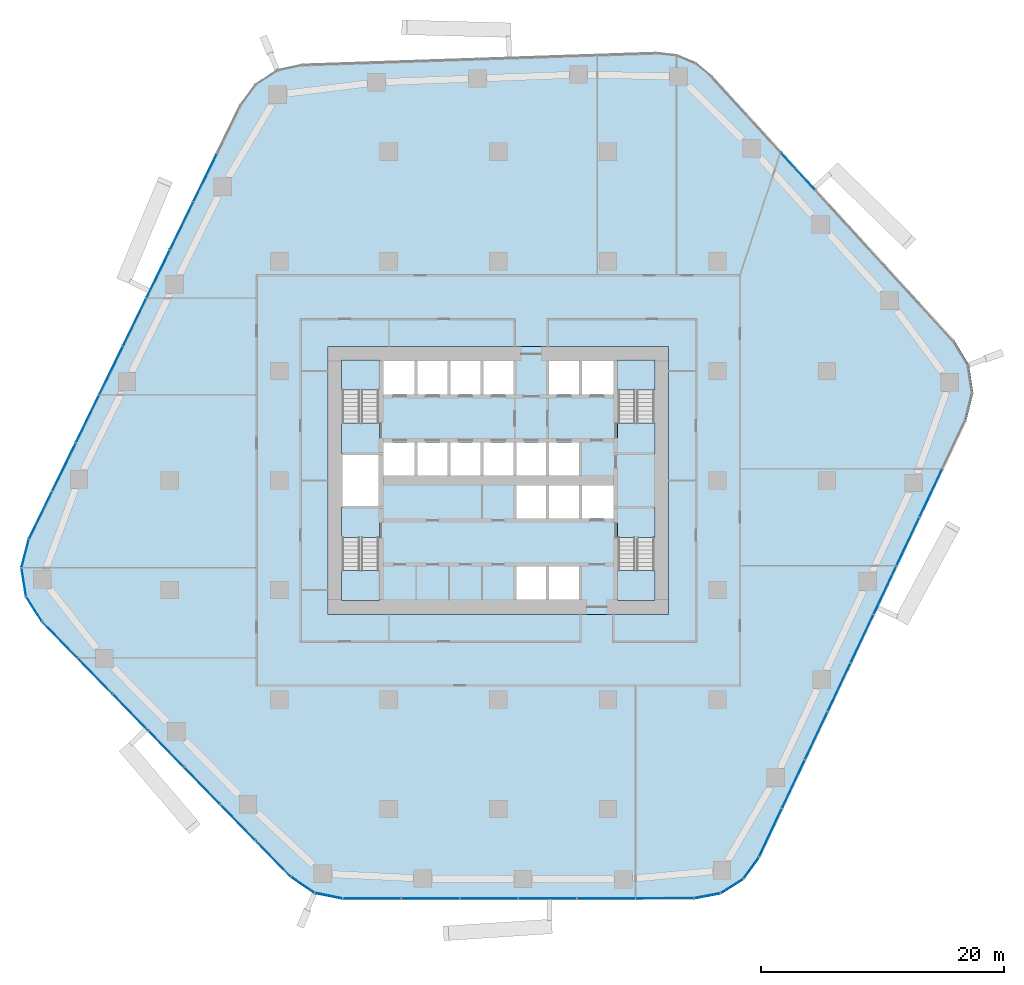
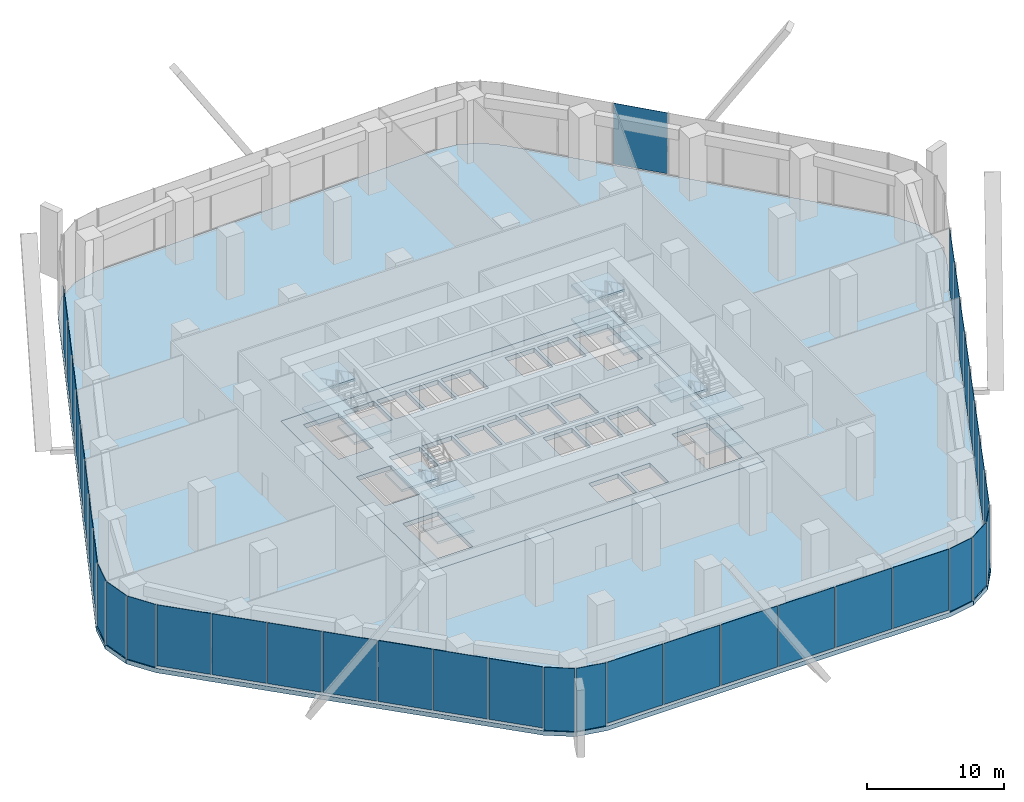
# One storey, part 9 of 19: 38 plates, 14 slabs, 12 elements without a shape of their own.
"""IFC4 building model written with IfcOpenShell, lengths in metres."""

from ifc_helpers import new_model, si_unit, direction, frame, origin, origin_2d, place, context, subcontext, project, spatial, polyline, rectangle, outline, extrude, material, layer, layer_set, type_object, element, aggregate, save


model = new_model("IFC4")

# Units and contexts
model_context = context("Model", 3, precision=1e-05, world=origin(), true_north=direction((0.0, 1.0)))
body_context = subcontext(model_context, "Body", "Model", "MODEL_VIEW")
ifc_project = project(units=[si_unit("LENGTHUNIT", "METRE"), si_unit("AREAUNIT", "SQUARE_METRE"), si_unit("VOLUMEUNIT", "CUBIC_METRE"), si_unit("PLANEANGLEUNIT", "RADIAN"), si_unit("MASSUNIT", "GRAM", prefix="KILO")], contexts=[model_context])

# Site, building, storey
site_placement = place(None, origin())
site = spatial("IfcSite", under=ifc_project, at=site_placement, CompositionType="ELEMENT")
building_placement = place(site_placement, origin())
building = spatial("IfcBuilding", under=site, at=building_placement, Name="Dongbaek Canopy Tower", CompositionType="ELEMENT")
storey_placement = place(building_placement, frame((0.0, 0.0, 38.0)))
storey = spatial("IfcBuildingStorey", under=building, at=storey_placement, Name="L05", CompositionType="ELEMENT", Elevation=38.0)

# Curtain wall, plate
ifc_material_1 = material(Name="Aluminium 6063-T6 pale anodised", Category="aluminium")
ifc_layer_1 = layer(ifc_material_1, 0.25)
ifc_layer_set_1 = layer_set([ifc_layer_1], Name="CW-4 sky-lobby curtain wall")
curtain_wall_type = type_object("IfcCurtainWallType", Name="CW-4 sky-lobby curtain wall", PredefinedType="NOTDEFINED", material=ifc_layer_set_1)
curtain_wall_1_placement = place(storey_placement, origin())
curtain_wall_1 = element("IfcCurtainWall", 1, at=curtain_wall_1_placement, inside=storey, type_object=curtain_wall_type, Name="CW-4 curtain wall F0.1", PredefinedType="NOTDEFINED")
ifc_material_2 = material(Name="Clear laminated glass", Category="glass")
ifc_layer_2 = layer(ifc_material_2, 0.035888671875)
ifc_layer_set_2 = layer_set([ifc_layer_2], Name="CW-4 glazed panel 36")
plate_type = type_object("IfcPlateType", Name="CW-4 glazed panel 36", PredefinedType="CURTAIN_PANEL", material=ifc_layer_set_2)
plate_1_placement = place(storey_placement, frame((24.607177734375, 25.423583984375, 0.179931640625), z_axis=(0.0, 0.0, 1.0), x_axis=(-0.674646668897, 0.738140821352, 0.0)))
plate_1 = element("IfcPlate", 2, at=plate_1_placement, type_object=plate_type, Name="CW-4 panel F0.1.5.1", PredefinedType="CURTAIN_PANEL", context=body_context, shape_type="SweptSolid", body=[
    extrude(rectangle(XDim=4.114990234375, YDim=0.035888671875, at=origin_2d()), origin(), (0.0, 0.0, 1.0), 5.419921875),
])
aggregate(curtain_wall_1, [plate_1])

# Curtain wall, plates
curtain_wall_2_placement = place(storey_placement, origin())
curtain_wall_2 = element("IfcCurtainWall", 3, at=curtain_wall_2_placement, inside=storey, type_object=curtain_wall_type, Name="CW-4 curtain wall F2.1", PredefinedType="NOTDEFINED")
plate_2_placement = place(storey_placement, frame((-24.08984375, 24.876708984375, 0.179931640625), z_axis=(0.0, 0.0, 1.0), x_axis=(-0.438327995219, -0.898815091444, 0.0)))
plate_2 = element("IfcPlate", 4, at=plate_2_placement, type_object=plate_type, Name="CW-4 panel F2.1.2.1", PredefinedType="CURTAIN_PANEL", context=body_context, shape_type="SweptSolid", body=[
    extrude(rectangle(XDim=4.31787109375, YDim=0.035888671875, at=origin_2d()), origin(), (0.0, 0.0, 1.0), 5.419921875),
])
plate_3_placement = place(storey_placement, frame((-26.023681640625, 20.9111328125, 0.179931640625), z_axis=(0.0, 0.0, 1.0), x_axis=(-0.438327995219, -0.898815091444, 0.0)))
plate_3 = element("IfcPlate", 5, at=plate_3_placement, type_object=plate_type, Name="CW-4 panel F2.1.3.1", PredefinedType="CURTAIN_PANEL", context=body_context, shape_type="SweptSolid", body=[
    extrude(rectangle(XDim=4.31787109375, YDim=0.035888671875, at=origin_2d()), origin(), (0.0, 0.0, 1.0), 5.419921875),
])
plate_4_placement = place(storey_placement, frame((-27.95751953125, 16.94580078125, 0.179931640625), z_axis=(0.0, 0.0, 1.0), x_axis=(-0.438327995219, -0.898815091444, 0.0)))
plate_4 = element("IfcPlate", 6, at=plate_4_placement, type_object=plate_type, Name="CW-4 panel F2.1.4.1", PredefinedType="CURTAIN_PANEL", context=body_context, shape_type="SweptSolid", body=[
    extrude(rectangle(XDim=4.31787109375, YDim=0.035888671875, at=origin_2d()), origin(), (0.0, 0.0, 1.0), 5.419921875),
])
plate_5_placement = place(storey_placement, frame((-29.891357421875, 12.98046875, 0.179931640625), z_axis=(0.0, 0.0, 1.0), x_axis=(-0.438327995219, -0.898815091444, 0.0)))
plate_5 = element("IfcPlate", 7, at=plate_5_placement, type_object=plate_type, Name="CW-4 panel F2.1.5.1", PredefinedType="CURTAIN_PANEL", context=body_context, shape_type="SweptSolid", body=[
    extrude(rectangle(XDim=4.31787109375, YDim=0.035888671875, at=origin_2d()), origin(), (0.0, 0.0, 1.0), 5.419921875),
])
plate_6_placement = place(storey_placement, frame((-31.8251953125, 9.014892578125, 0.179931640625), z_axis=(0.0, 0.0, 1.0), x_axis=(-0.438327995219, -0.898815091444, 0.0)))
plate_6 = element("IfcPlate", 8, at=plate_6_placement, type_object=plate_type, Name="CW-4 panel F2.1.6.1", PredefinedType="CURTAIN_PANEL", context=body_context, shape_type="SweptSolid", body=[
    extrude(rectangle(XDim=4.31787109375, YDim=0.035888671875, at=origin_2d()), origin(), (0.0, 0.0, 1.0), 5.419921875),
])
plate_7_placement = place(storey_placement, frame((-33.759033203125, 5.049560546875, 0.179931640625), z_axis=(0.0, 0.0, 1.0), x_axis=(-0.438327995219, -0.898815091444, 0.0)))
plate_7 = element("IfcPlate", 9, at=plate_7_placement, type_object=plate_type, Name="CW-4 panel F2.1.7.1", PredefinedType="CURTAIN_PANEL", context=body_context, shape_type="SweptSolid", body=[
    extrude(rectangle(XDim=4.31787109375, YDim=0.035888671875, at=origin_2d()), origin(), (0.0, 0.0, 1.0), 5.419921875),
])
plate_8_placement = place(storey_placement, frame((-35.69287109375, 1.084228515625, 0.179931640625), z_axis=(0.0, 0.0, 1.0), x_axis=(-0.438327995219, -0.898815091444, 0.0)))
plate_8 = element("IfcPlate", 10, at=plate_8_placement, type_object=plate_type, Name="CW-4 panel F2.1.8.1", PredefinedType="CURTAIN_PANEL", context=body_context, shape_type="SweptSolid", body=[
    extrude(rectangle(XDim=4.31787109375, YDim=0.035888671875, at=origin_2d()), origin(), (0.0, 0.0, 1.0), 5.419921875),
])
plate_9_placement = place(storey_placement, frame((-37.624267578125, -2.876708984375, 0.179931640625), z_axis=(0.0, 0.0, 1.0), x_axis=(-0.438327995219, -0.898815091444, 0.0)))
plate_9 = element("IfcPlate", 11, at=plate_9_placement, type_object=plate_type, Name="CW-4 panel F2.1.9.1", PredefinedType="CURTAIN_PANEL", context=body_context, shape_type="SweptSolid", body=[
    extrude(rectangle(XDim=4.3076171875, YDim=0.035888671875, at=origin_2d()), origin(), (0.0, 0.0, 1.0), 5.419921875),
])
aggregate(curtain_wall_2, [plate_2, plate_3, plate_4, plate_5, plate_6, plate_7, plate_8, plate_9])

curtain_wall_3_placement = place(storey_placement, origin())
curtain_wall_3 = element("IfcCurtainWall", 12, at=curtain_wall_3_placement, inside=storey, type_object=curtain_wall_type, Name="CW-4 curtain wall K3.1", PredefinedType="NOTDEFINED")
plate_10_placement = place(storey_placement, frame((-38.8857421875, -6.020263671875, 0.0), z_axis=(0.0, 0.0, 1.0), x_axis=(-0.246731155393, -0.969083967961, 0.0)))
plate_10 = element("IfcPlate", 13, at=plate_10_placement, type_object=plate_type, Name="CW-4 panel K3.1.1.1", PredefinedType="CURTAIN_PANEL", context=body_context, shape_type="SweptSolid", body=[
    extrude(rectangle(XDim=2.31103515625, YDim=0.035888671875, at=origin_2d()), origin(), (0.0, 0.0, 1.0), 5.60009765625),
])
plate_11_placement = place(storey_placement, frame((-38.9921875, -8.36767578125, 0.0), z_axis=(0.0, 0.0, 1.0), x_axis=(0.158882013359, -0.987297577142, 0.0)))
plate_11 = element("IfcPlate", 14, at=plate_11_placement, type_object=plate_type, Name="CW-4 panel K3.1.2.1", PredefinedType="CURTAIN_PANEL", context=body_context, shape_type="SweptSolid", body=[
    extrude(rectangle(XDim=2.30078125, YDim=0.035888671875, at=origin_2d()), origin(), (0.0, 0.0, 1.0), 5.60009765625),
])
plate_12_placement = place(storey_placement, frame((-38.154541015625, -10.563232421875, 0.0), z_axis=(0.0, 0.0, 1.0), x_axis=(0.538302881917, -0.8427514505, 0.0)))
plate_12 = element("IfcPlate", 15, at=plate_12_placement, type_object=plate_type, Name="CW-4 panel K3.1.3.1", PredefinedType="CURTAIN_PANEL", context=body_context, shape_type="SweptSolid", body=[
    extrude(rectangle(XDim=2.31103515625, YDim=0.035888671875, at=origin_2d()), origin(), (0.0, 0.0, 1.0), 5.60009765625),
])
aggregate(curtain_wall_3, [plate_10, plate_11, plate_12])

curtain_wall_4_placement = place(storey_placement, origin())
curtain_wall_4 = element("IfcCurtainWall", 16, at=curtain_wall_4_placement, inside=storey, type_object=curtain_wall_type, Name="CW-4 curtain wall F3.1", PredefinedType="NOTDEFINED")
plate_13_placement = place(storey_placement, frame((-36.048095703125, -13.072998046875, 0.179931640625), z_axis=(0.0, 0.0, 1.0), x_axis=(0.698181284581, -0.715921010909, 0.0)))
plate_13 = element("IfcPlate", 17, at=plate_13_placement, type_object=plate_type, Name="CW-4 panel F3.1.1.1", PredefinedType="CURTAIN_PANEL", context=body_context, shape_type="SweptSolid", body=[
    extrude(rectangle(XDim=4.086181640625, YDim=0.035888671875, at=origin_2d()), origin(), (0.0, 0.0, 1.0), 5.419921875),
])
plate_14_placement = place(storey_placement, frame((-33.1259765625, -16.0693359375, 0.179931640625), z_axis=(0.0, 0.0, 1.0), x_axis=(0.698181284581, -0.715921010909, 0.0)))
plate_14 = element("IfcPlate", 18, at=plate_14_placement, type_object=plate_type, Name="CW-4 panel F3.1.2.1", PredefinedType="CURTAIN_PANEL", context=body_context, shape_type="SweptSolid", body=[
    extrude(rectangle(XDim=4.096435546875, YDim=0.035888671875, at=origin_2d()), origin(), (0.0, 0.0, 1.0), 5.419921875),
])
plate_15_placement = place(storey_placement, frame((-30.2001953125, -19.0693359375, 0.179931640625), z_axis=(0.0, 0.0, 1.0), x_axis=(0.698181284581, -0.715921010909, 0.0)))
plate_15 = element("IfcPlate", 19, at=plate_15_placement, type_object=plate_type, Name="CW-4 panel F3.1.3.1", PredefinedType="CURTAIN_PANEL", context=body_context, shape_type="SweptSolid", body=[
    extrude(rectangle(XDim=4.096435546875, YDim=0.035888671875, at=origin_2d()), origin(), (0.0, 0.0, 1.0), 5.419921875),
])
plate_16_placement = place(storey_placement, frame((-27.2744140625, -22.069580078125, 0.179931640625), z_axis=(0.0, 0.0, 1.0), x_axis=(0.698181284581, -0.715921010909, 0.0)))
plate_16 = element("IfcPlate", 20, at=plate_16_placement, type_object=plate_type, Name="CW-4 panel F3.1.4.1", PredefinedType="CURTAIN_PANEL", context=body_context, shape_type="SweptSolid", body=[
    extrude(rectangle(XDim=4.096435546875, YDim=0.035888671875, at=origin_2d()), origin(), (0.0, 0.0, 1.0), 5.419921875),
])
plate_17_placement = place(storey_placement, frame((-24.348876953125, -25.069580078125, 0.179931640625), z_axis=(0.0, 0.0, 1.0), x_axis=(0.698181284581, -0.715921010909, 0.0)))
plate_17 = element("IfcPlate", 21, at=plate_17_placement, type_object=plate_type, Name="CW-4 panel F3.1.5.1", PredefinedType="CURTAIN_PANEL", context=body_context, shape_type="SweptSolid", body=[
    extrude(rectangle(XDim=4.096435546875, YDim=0.035888671875, at=origin_2d()), origin(), (0.0, 0.0, 1.0), 5.419921875),
])
plate_18_placement = place(storey_placement, frame((-21.423095703125, -28.069580078125, 0.179931640625), z_axis=(0.0, 0.0, 1.0), x_axis=(0.698181284581, -0.715921010909, 0.0)))
plate_18 = element("IfcPlate", 22, at=plate_18_placement, type_object=plate_type, Name="CW-4 panel F3.1.6.1", PredefinedType="CURTAIN_PANEL", context=body_context, shape_type="SweptSolid", body=[
    extrude(rectangle(XDim=4.096435546875, YDim=0.035888671875, at=origin_2d()), origin(), (0.0, 0.0, 1.0), 5.419921875),
])
plate_19_placement = place(storey_placement, frame((-18.5009765625, -31.06591796875, 0.179931640625), z_axis=(0.0, 0.0, 1.0), x_axis=(0.698181284581, -0.715921010909, 0.0)))
plate_19 = element("IfcPlate", 23, at=plate_19_placement, type_object=plate_type, Name="CW-4 panel F3.1.7.1", PredefinedType="CURTAIN_PANEL", context=body_context, shape_type="SweptSolid", body=[
    extrude(rectangle(XDim=4.08642578125, YDim=0.035888671875, at=origin_2d()), origin(), (0.0, 0.0, 1.0), 5.419921875),
])
aggregate(curtain_wall_4, [plate_13, plate_14, plate_15, plate_16, plate_17, plate_18, plate_19])

curtain_wall_5_placement = place(storey_placement, origin())
curtain_wall_5 = element("IfcCurtainWall", 24, at=curtain_wall_5_placement, inside=storey, type_object=curtain_wall_type, Name="CW-4 curtain wall K4.1", PredefinedType="NOTDEFINED")
plate_20_placement = place(storey_placement, frame((-16.071044921875, -33.22412109375, 0.0), z_axis=(0.0, 0.0, 1.0), x_axis=(0.826279799797, -0.563259880027, 0.0)))
plate_20 = element("IfcPlate", 25, at=plate_20_placement, type_object=plate_type, Name="CW-4 panel K4.1.1.1", PredefinedType="CURTAIN_PANEL", context=body_context, shape_type="SweptSolid", body=[
    extrude(rectangle(XDim=2.25537109375, YDim=0.035888671875, at=origin_2d()), origin(), (0.0, 0.0, 1.0), 5.60009765625),
])
plate_21_placement = place(storey_placement, frame((-13.948974609375, -34.117919921875, 0.0), z_axis=(0.0, 0.0, 1.0), x_axis=(0.980246454799, -0.197779897497, 0.0)))
plate_21 = element("IfcPlate", 26, at=plate_21_placement, type_object=plate_type, Name="CW-4 panel K4.1.2.1", PredefinedType="CURTAIN_PANEL", context=body_context, shape_type="SweptSolid", body=[
    extrude(rectangle(XDim=2.25537109375, YDim=0.035888671875, at=origin_2d()), origin(), (0.0, 0.0, 1.0), 5.60009765625),
])
aggregate(curtain_wall_5, [plate_20, plate_21])

curtain_wall_6_placement = place(storey_placement, origin())
curtain_wall_6 = element("IfcCurtainWall", 27, at=curtain_wall_6_placement, inside=storey, type_object=curtain_wall_type, Name="CW-4 curtain wall F4.1", PredefinedType="NOTDEFINED")
plate_22_placement = place(storey_placement, frame((-10.395263671875, -34.34912109375, 0.179931640625), z_axis=(0.0, 0.0, 1.0), x_axis=(0.999999862689, 0.000524044387, 0.0)))
plate_22 = element("IfcPlate", 28, at=plate_22_placement, type_object=plate_type, Name="CW-4 panel F4.1.1.1", PredefinedType="CURTAIN_PANEL", context=body_context, shape_type="SweptSolid", body=[
    extrude(rectangle(XDim=4.710693359375, YDim=0.035888671875, at=origin_2d()), origin(), (0.0, 0.0, 1.0), 5.419921875),
])
plate_23_placement = place(storey_placement, frame((-5.585693359375, -34.346435546875, 0.179931640625), z_axis=(0.0, 0.0, 1.0), x_axis=(0.999999862689, 0.000524044387, 0.0)))
plate_23 = element("IfcPlate", 29, at=plate_23_placement, type_object=plate_type, Name="CW-4 panel F4.1.2.1", PredefinedType="CURTAIN_PANEL", context=body_context, shape_type="SweptSolid", body=[
    extrude(rectangle(XDim=4.720703125, YDim=0.035888671875, at=origin_2d()), origin(), (0.0, 0.0, 1.0), 5.419921875),
])
plate_24_placement = place(storey_placement, frame((-0.77099609375, -34.343994140625, 0.179931640625), z_axis=(0.0, 0.0, 1.0), x_axis=(0.999999862689, 0.000524044387, 0.0)))
plate_24 = element("IfcPlate", 30, at=plate_24_placement, type_object=plate_type, Name="CW-4 panel F4.1.3.1", PredefinedType="CURTAIN_PANEL", context=body_context, shape_type="SweptSolid", body=[
    extrude(rectangle(XDim=4.720703125, YDim=0.035888671875, at=origin_2d()), origin(), (0.0, 0.0, 1.0), 5.419921875),
])
plate_25_placement = place(storey_placement, frame((4.043701171875, -34.341552734375, 0.179931640625), z_axis=(0.0, 0.0, 1.0), x_axis=(0.999999862689, 0.000524044387, 0.0)))
plate_25 = element("IfcPlate", 31, at=plate_25_placement, type_object=plate_type, Name="CW-4 panel F4.1.4.1", PredefinedType="CURTAIN_PANEL", context=body_context, shape_type="SweptSolid", body=[
    extrude(rectangle(XDim=4.720703125, YDim=0.035888671875, at=origin_2d()), origin(), (0.0, 0.0, 1.0), 5.419921875),
])
plate_26_placement = place(storey_placement, frame((8.8583984375, -34.3388671875, 0.179931640625), z_axis=(0.0, 0.0, 1.0), x_axis=(0.999999862689, 0.000524044387, 0.0)))
plate_26 = element("IfcPlate", 32, at=plate_26_placement, type_object=plate_type, Name="CW-4 panel F4.1.5.1", PredefinedType="CURTAIN_PANEL", context=body_context, shape_type="SweptSolid", body=[
    extrude(rectangle(XDim=4.720703125, YDim=0.035888671875, at=origin_2d()), origin(), (0.0, 0.0, 1.0), 5.419921875),
])
plate_27_placement = place(storey_placement, frame((13.668212890625, -34.33642578125, 0.179931640625), z_axis=(0.0, 0.0, 1.0), x_axis=(0.999999862689, 0.000524044387, 0.0)))
plate_27 = element("IfcPlate", 33, at=plate_27_placement, type_object=plate_type, Name="CW-4 panel F4.1.6.1", PredefinedType="CURTAIN_PANEL", context=body_context, shape_type="SweptSolid", body=[
    extrude(rectangle(XDim=4.711181640625, YDim=0.035888671875, at=origin_2d()), origin(), (0.0, 0.0, 1.0), 5.419921875),
])
aggregate(curtain_wall_6, [plate_22, plate_23, plate_24, plate_25, plate_26, plate_27])

curtain_wall_7_placement = place(storey_placement, origin())
curtain_wall_7 = element("IfcCurtainWall", 34, at=curtain_wall_7_placement, inside=storey, type_object=curtain_wall_type, Name="CW-4 curtain wall K5.1", PredefinedType="NOTDEFINED")
plate_28_placement = place(storey_placement, frame((17.159423828125, -34.127197265625, 0.0), z_axis=(0.0, 0.0, 1.0), x_axis=(0.982248893064, 0.187582280814, 0.0)))
plate_28 = element("IfcPlate", 35, at=plate_28_placement, type_object=plate_type, Name="CW-4 panel K5.1.1.1", PredefinedType="CURTAIN_PANEL", context=body_context, shape_type="SweptSolid", body=[
    extrude(rectangle(XDim=2.122314453125, YDim=0.035888671875, at=origin_2d()), origin(), (0.0, 0.0, 1.0), 5.60009765625),
])
plate_29_placement = place(storey_placement, frame((19.1796875, -33.32861328125, 0.0), z_axis=(0.0, 0.0, 1.0), x_axis=(0.844560558977, 0.535460047268, 0.0)))
plate_29 = element("IfcPlate", 36, at=plate_29_placement, type_object=plate_type, Name="CW-4 panel K5.1.2.1", PredefinedType="CURTAIN_PANEL", context=body_context, shape_type="SweptSolid", body=[
    extrude(rectangle(XDim=2.11279296875, YDim=0.035888671875, at=origin_2d()), origin(), (0.0, 0.0, 1.0), 5.60009765625),
])
plate_30_placement = place(storey_placement, frame((20.763916015625, -31.842041015625, 0.0), z_axis=(0.0, 0.0, 1.0), x_axis=(0.588653156546, 0.808385713189, 0.0)))
plate_30 = element("IfcPlate", 37, at=plate_30_placement, type_object=plate_type, Name="CW-4 panel K5.1.3.1", PredefinedType="CURTAIN_PANEL", context=body_context, shape_type="SweptSolid", body=[
    extrude(rectangle(XDim=2.122314453125, YDim=0.035888671875, at=origin_2d()), origin(), (0.0, 0.0, 1.0), 5.60009765625),
])
aggregate(curtain_wall_7, [plate_28, plate_29, plate_30])

curtain_wall_8_placement = place(storey_placement, origin())
curtain_wall_8 = element("IfcCurtainWall", 38, at=curtain_wall_8_placement, inside=storey, type_object=curtain_wall_type, Name="CW-4 curtain wall F5.1", PredefinedType="NOTDEFINED")
plate_31_placement = place(storey_placement, frame((22.35595703125, -28.9560546875, 0.179931640625), z_axis=(0.0, 0.0, 1.0), x_axis=(0.427038992534, 0.904233210436, 0.0)))
plate_31 = element("IfcPlate", 39, at=plate_31_placement, type_object=plate_type, Name="CW-4 panel F5.1.1.1", PredefinedType="CURTAIN_PANEL", context=body_context, shape_type="SweptSolid", body=[
    extrude(rectangle(XDim=4.3076171875, YDim=0.035888671875, at=origin_2d()), origin(), (0.0, 0.0, 1.0), 5.419921875),
])
plate_32_placement = place(storey_placement, frame((24.23779296875, -24.9716796875, 0.179931640625), z_axis=(0.0, 0.0, 1.0), x_axis=(0.427038992534, 0.904233210436, 0.0)))
plate_32 = element("IfcPlate", 40, at=plate_32_placement, type_object=plate_type, Name="CW-4 panel F5.1.2.1", PredefinedType="CURTAIN_PANEL", context=body_context, shape_type="SweptSolid", body=[
    extrude(rectangle(XDim=4.317138671875, YDim=0.035888671875, at=origin_2d()), origin(), (0.0, 0.0, 1.0), 5.419921875),
])
plate_33_placement = place(storey_placement, frame((26.121337890625, -20.983154296875, 0.179931640625), z_axis=(0.0, 0.0, 1.0), x_axis=(0.427038992534, 0.904233210436, 0.0)))
plate_33 = element("IfcPlate", 41, at=plate_33_placement, type_object=plate_type, Name="CW-4 panel F5.1.3.1", PredefinedType="CURTAIN_PANEL", context=body_context, shape_type="SweptSolid", body=[
    extrude(rectangle(XDim=4.317138671875, YDim=0.035888671875, at=origin_2d()), origin(), (0.0, 0.0, 1.0), 5.419921875),
])
plate_34_placement = place(storey_placement, frame((28.005126953125, -16.99462890625, 0.179931640625), z_axis=(0.0, 0.0, 1.0), x_axis=(0.427038992534, 0.904233210436, 0.0)))
plate_34 = element("IfcPlate", 42, at=plate_34_placement, type_object=plate_type, Name="CW-4 panel F5.1.4.1", PredefinedType="CURTAIN_PANEL", context=body_context, shape_type="SweptSolid", body=[
    extrude(rectangle(XDim=4.317138671875, YDim=0.035888671875, at=origin_2d()), origin(), (0.0, 0.0, 1.0), 5.419921875),
])
plate_35_placement = place(storey_placement, frame((29.888671875, -13.005859375, 0.179931640625), z_axis=(0.0, 0.0, 1.0), x_axis=(0.427038992534, 0.904233210436, 0.0)))
plate_35 = element("IfcPlate", 43, at=plate_35_placement, type_object=plate_type, Name="CW-4 panel F5.1.5.1", PredefinedType="CURTAIN_PANEL", context=body_context, shape_type="SweptSolid", body=[
    extrude(rectangle(XDim=4.317138671875, YDim=0.035888671875, at=origin_2d()), origin(), (0.0, 0.0, 1.0), 5.419921875),
])
plate_36_placement = place(storey_placement, frame((31.7724609375, -9.017333984375, 0.179931640625), z_axis=(0.0, 0.0, 1.0), x_axis=(0.427038992534, 0.904233210436, 0.0)))
plate_36 = element("IfcPlate", 44, at=plate_36_placement, type_object=plate_type, Name="CW-4 panel F5.1.6.1", PredefinedType="CURTAIN_PANEL", context=body_context, shape_type="SweptSolid", body=[
    extrude(rectangle(XDim=4.317138671875, YDim=0.035888671875, at=origin_2d()), origin(), (0.0, 0.0, 1.0), 5.419921875),
])
plate_37_placement = place(storey_placement, frame((33.656005859375, -5.02880859375, 0.179931640625), z_axis=(0.0, 0.0, 1.0), x_axis=(0.427038992534, 0.904233210436, 0.0)))
plate_37 = element("IfcPlate", 45, at=plate_37_placement, type_object=plate_type, Name="CW-4 panel F5.1.7.1", PredefinedType="CURTAIN_PANEL", context=body_context, shape_type="SweptSolid", body=[
    extrude(rectangle(XDim=4.317138671875, YDim=0.035888671875, at=origin_2d()), origin(), (0.0, 0.0, 1.0), 5.419921875),
])
plate_38_placement = place(storey_placement, frame((35.539794921875, -1.0400390625, 0.179931640625), z_axis=(0.0, 0.0, 1.0), x_axis=(0.427038992534, 0.904233210436, 0.0)))
plate_38 = element("IfcPlate", 46, at=plate_38_placement, type_object=plate_type, Name="CW-4 panel F5.1.8.1", PredefinedType="CURTAIN_PANEL", context=body_context, shape_type="SweptSolid", body=[
    extrude(rectangle(XDim=4.317138671875, YDim=0.035888671875, at=origin_2d()), origin(), (0.0, 0.0, 1.0), 5.419921875),
])
aggregate(curtain_wall_8, [plate_31, plate_32, plate_33, plate_34, plate_35, plate_36, plate_37, plate_38])

# Slab
ifc_material_3 = material(Name="Concrete C40/50", Category="concrete")
ifc_layer_3 = layer(ifc_material_3, 0.39990234375)
ifc_layer_set_3 = layer_set([ifc_layer_3], Name="Core floor slab 400 Concrete C40/50")
slab_type_1 = type_object("IfcSlabType", Name="Core floor slab 400 Concrete C40/50", PredefinedType="FLOOR", material=ifc_layer_set_3)
slab_1_placement = place(storey_placement, frame((0.0, 0.0, -0.39990234375)))
element("IfcSlab", 47, at=slab_1_placement, inside=storey, type_object=slab_type_1, Name="Core floor slab L05", PredefinedType="FLOOR", context=body_context, shape_type="SweptSolid", body=[
    extrude(outline(polyline([(14.0, -11.0), (14.0, 11.0), (-14.0, 11.0), (-14.0, -11.0), (14.0, -11.0)]), holes=[polyline([(-12.800048828125, 2.10009765625), (-9.85009765625, 2.10009765625), (-9.85009765625, -2.10009765625), (-12.800048828125, -2.10009765625), (-12.800048828125, 2.10009765625)]), polyline([(-6.875, 9.800048828125), (-6.875, 7.074951171875), (-9.449951171875, 7.074951171875), (-9.449951171875, 9.800048828125), (-6.875, 9.800048828125)]), polyline([(-4.175048828125, 9.800048828125), (-4.175048828125, 7.074951171875), (-6.625, 7.074951171875), (-6.625, 9.800048828125), (-4.175048828125, 9.800048828125)]), polyline([(-1.47509765625, 9.800048828125), (-1.47509765625, 7.074951171875), (-3.925048828125, 7.074951171875), (-3.925048828125, 9.800048828125), (-1.47509765625, 9.800048828125)]), polyline([(1.22509765625, 9.800048828125), (1.22509765625, 7.074951171875), (-1.22509765625, 7.074951171875), (-1.22509765625, 9.800048828125), (1.22509765625, 9.800048828125)]), polyline([(6.625, 9.800048828125), (6.625, 7.074951171875), (4.175048828125, 7.074951171875), (4.175048828125, 9.800048828125), (6.625, 9.800048828125)]), polyline([(9.449951171875, 7.074951171875), (6.875, 7.074951171875), (6.875, 9.800048828125), (9.449951171875, 9.800048828125), (9.449951171875, 7.074951171875)]), polyline([(-9.449951171875, 3.125), (-6.875, 3.125), (-6.875, 0.39990234375), (-9.449951171875, 0.39990234375), (-9.449951171875, 3.125)]), polyline([(-6.625, 3.125), (-4.175048828125, 3.125), (-4.175048828125, 0.39990234375), (-6.625, 0.39990234375), (-6.625, 3.125)]), polyline([(-3.925048828125, 3.125), (-1.47509765625, 3.125), (-1.47509765625, 0.39990234375), (-3.925048828125, 0.39990234375), (-3.925048828125, 3.125)]), polyline([(-1.22509765625, 3.125), (1.22509765625, 3.125), (1.22509765625, 0.39990234375), (-1.22509765625, 0.39990234375), (-1.22509765625, 3.125)]), polyline([(3.925048828125, 3.125), (3.925048828125, 0.39990234375), (1.47509765625, 0.39990234375), (1.47509765625, 3.125), (3.925048828125, 3.125)]), polyline([(4.175048828125, 3.125), (6.625, 3.125), (6.625, 0.39990234375), (4.175048828125, 0.39990234375), (4.175048828125, 3.125)]), polyline([(1.47509765625, -0.39990234375), (3.925048828125, -0.39990234375), (3.925048828125, -3.125), (1.47509765625, -3.125), (1.47509765625, -0.39990234375)]), polyline([(4.175048828125, -3.125), (4.175048828125, -0.39990234375), (6.625, -0.39990234375), (6.625, -3.125), (4.175048828125, -3.125)]), polyline([(9.449951171875, -3.125), (6.875, -3.125), (6.875, -0.39990234375), (9.449951171875, -0.39990234375), (9.449951171875, -3.125)]), polyline([(1.47509765625, -9.800048828125), (1.47509765625, -7.074951171875), (3.925048828125, -7.074951171875), (3.925048828125, -9.800048828125), (1.47509765625, -9.800048828125)]), polyline([(4.175048828125, -9.800048828125), (4.175048828125, -7.074951171875), (6.625, -7.074951171875), (6.625, -9.800048828125), (4.175048828125, -9.800048828125)]), polyline([(12.800048828125, 4.70068359375), (12.800048828125, 9.800048828125), (9.85009765625, 9.800048828125), (9.85009765625, 4.70068359375), (12.800048828125, 4.70068359375)]), polyline([(-9.85009765625, 4.70068359375), (-9.85009765625, 9.800048828125), (-12.800048828125, 9.800048828125), (-12.800048828125, 4.70068359375), (-9.85009765625, 4.70068359375)]), polyline([(9.85009765625, -4.70068359375), (9.85009765625, -9.800048828125), (12.800048828125, -9.800048828125), (12.800048828125, -4.70068359375), (9.85009765625, -4.70068359375)]), polyline([(-12.800048828125, -4.70068359375), (-12.800048828125, -9.800048828125), (-9.85009765625, -9.800048828125), (-9.85009765625, -4.70068359375), (-12.800048828125, -4.70068359375)])]), origin(), (0.0, 0.0, 1.0), 0.39990234375),
])

# Stair, slabs
ifc_material_4 = material(Name="Concrete C40/50", Category="concrete")
stair_type = type_object("IfcStairType", Name="Core exit stair", PredefinedType="HALF_TURN_STAIR", material=ifc_material_4)
stair_1_placement = place(storey_placement, origin())
stair_1 = element("IfcStair", 48, at=stair_1_placement, inside=storey, type_object=stair_type, Name="L05 exit stair A", PredefinedType="HALF_TURN_STAIR")
ifc_material_5 = material(Name="Concrete C40/50", Category="concrete")
ifc_layer_4 = layer(ifc_material_5, 0.199951171875)
ifc_layer_set_4 = layer_set([ifc_layer_4], Name="Core stair landing 200")
slab_type_2 = type_object("IfcSlabType", Name="Core stair landing 200", PredefinedType="LANDING", material=ifc_layer_set_4)
slab_2_placement = place(storey_placement, frame((0.0, 0.0, 1.300048828125)))
slab_2 = element("IfcSlab", 49, at=slab_2_placement, type_object=slab_type_2, Name="ST-A landing 1", PredefinedType="LANDING", context=body_context, shape_type="SweptSolid", body=[
    extrude(outline(polyline([(12.875, 7.419921875), (12.875, 9.875), (9.77490234375, 9.875), (9.77490234375, 7.419921875), (12.875, 7.419921875)])), origin(), (0.0, 0.0, 1.0), 0.199951171875),
])
slab_3_placement = place(storey_placement, frame((0.0, 0.0, 2.800048828125)))
slab_3 = element("IfcSlab", 50, at=slab_3_placement, type_object=slab_type_2, Name="ST-A landing 2", PredefinedType="LANDING", context=body_context, shape_type="SweptSolid", body=[
    extrude(outline(polyline([(12.875, 2.22509765625), (12.875, 4.699951171875), (9.77490234375, 4.699951171875), (9.77490234375, 2.22509765625), (12.875, 2.22509765625)])), origin(), (0.0, 0.0, 1.0), 0.199951171875),
])
slab_4_placement = place(storey_placement, frame((0.0, 0.0, 4.300048828125)))
slab_4 = element("IfcSlab", 51, at=slab_4_placement, type_object=slab_type_2, Name="ST-A landing 3", PredefinedType="LANDING", context=body_context, shape_type="SweptSolid", body=[
    extrude(outline(polyline([(12.875, 7.419921875), (12.875, 9.875), (9.77490234375, 9.875), (9.77490234375, 7.419921875), (12.875, 7.419921875)])), origin(), (0.0, 0.0, 1.0), 0.199951171875),
])
aggregate(stair_1, [slab_2, slab_3, slab_4])

stair_2_placement = place(storey_placement, origin())
stair_2 = element("IfcStair", 52, at=stair_2_placement, inside=storey, type_object=stair_type, Name="L05 exit stair C", PredefinedType="HALF_TURN_STAIR")
slab_5_placement = place(storey_placement, frame((0.0, 0.0, 1.300048828125)))
slab_5 = element("IfcSlab", 53, at=slab_5_placement, type_object=slab_type_2, Name="ST-C landing 1", PredefinedType="LANDING", context=body_context, shape_type="SweptSolid", body=[
    extrude(outline(polyline([(-9.77490234375, 7.419921875), (-9.77490234375, 9.875), (-12.875, 9.875), (-12.875, 7.419921875), (-9.77490234375, 7.419921875)])), origin(), (0.0, 0.0, 1.0), 0.199951171875),
])
slab_6_placement = place(storey_placement, frame((0.0, 0.0, 2.800048828125)))
slab_6 = element("IfcSlab", 54, at=slab_6_placement, type_object=slab_type_2, Name="ST-C landing 2", PredefinedType="LANDING", context=body_context, shape_type="SweptSolid", body=[
    extrude(outline(polyline([(-9.77490234375, 2.22509765625), (-9.77490234375, 4.699951171875), (-12.875, 4.699951171875), (-12.875, 2.22509765625), (-9.77490234375, 2.22509765625)])), origin(), (0.0, 0.0, 1.0), 0.199951171875),
])
slab_7_placement = place(storey_placement, frame((0.0, 0.0, 4.300048828125)))
slab_7 = element("IfcSlab", 55, at=slab_7_placement, type_object=slab_type_2, Name="ST-C landing 3", PredefinedType="LANDING", context=body_context, shape_type="SweptSolid", body=[
    extrude(outline(polyline([(-9.77490234375, 7.419921875), (-9.77490234375, 9.875), (-12.875, 9.875), (-12.875, 7.419921875), (-9.77490234375, 7.419921875)])), origin(), (0.0, 0.0, 1.0), 0.199951171875),
])
aggregate(stair_2, [slab_5, slab_6, slab_7])

stair_3_placement = place(storey_placement, origin())
stair_3 = element("IfcStair", 56, at=stair_3_placement, inside=storey, type_object=stair_type, Name="L05 exit stair B", PredefinedType="HALF_TURN_STAIR")
slab_8_placement = place(storey_placement, frame((0.0, 0.0, 1.300048828125)))
slab_8 = element("IfcSlab", 57, at=slab_8_placement, type_object=slab_type_2, Name="ST-B landing 1", PredefinedType="LANDING", context=body_context, shape_type="SweptSolid", body=[
    extrude(outline(polyline([(9.77490234375, -7.419921875), (9.77490234375, -9.875), (12.875, -9.875), (12.875, -7.419921875), (9.77490234375, -7.419921875)])), origin(), (0.0, 0.0, 1.0), 0.199951171875),
])
slab_9_placement = place(storey_placement, frame((0.0, 0.0, 2.800048828125)))
slab_9 = element("IfcSlab", 58, at=slab_9_placement, type_object=slab_type_2, Name="ST-B landing 2", PredefinedType="LANDING", context=body_context, shape_type="SweptSolid", body=[
    extrude(outline(polyline([(9.77490234375, -2.22509765625), (9.77490234375, -4.699951171875), (12.875, -4.699951171875), (12.875, -2.22509765625), (9.77490234375, -2.22509765625)])), origin(), (0.0, 0.0, 1.0), 0.199951171875),
])
slab_10_placement = place(storey_placement, frame((0.0, 0.0, 4.300048828125)))
slab_10 = element("IfcSlab", 59, at=slab_10_placement, type_object=slab_type_2, Name="ST-B landing 3", PredefinedType="LANDING", context=body_context, shape_type="SweptSolid", body=[
    extrude(outline(polyline([(9.77490234375, -7.419921875), (9.77490234375, -9.875), (12.875, -9.875), (12.875, -7.419921875), (9.77490234375, -7.419921875)])), origin(), (0.0, 0.0, 1.0), 0.199951171875),
])
aggregate(stair_3, [slab_8, slab_9, slab_10])

stair_4_placement = place(storey_placement, origin())
stair_4 = element("IfcStair", 60, at=stair_4_placement, inside=storey, type_object=stair_type, Name="L05 exit stair D", PredefinedType="HALF_TURN_STAIR")
slab_11_placement = place(storey_placement, frame((0.0, 0.0, 1.300048828125)))
slab_11 = element("IfcSlab", 61, at=slab_11_placement, type_object=slab_type_2, Name="ST-D landing 1", PredefinedType="LANDING", context=body_context, shape_type="SweptSolid", body=[
    extrude(outline(polyline([(-12.875, -7.419921875), (-12.875, -9.875), (-9.77490234375, -9.875), (-9.77490234375, -7.419921875), (-12.875, -7.419921875)])), origin(), (0.0, 0.0, 1.0), 0.199951171875),
])
slab_12_placement = place(storey_placement, frame((0.0, 0.0, 2.800048828125)))
slab_12 = element("IfcSlab", 62, at=slab_12_placement, type_object=slab_type_2, Name="ST-D landing 2", PredefinedType="LANDING", context=body_context, shape_type="SweptSolid", body=[
    extrude(outline(polyline([(-12.875, -2.22509765625), (-12.875, -4.699951171875), (-9.77490234375, -4.699951171875), (-9.77490234375, -2.22509765625), (-12.875, -2.22509765625)])), origin(), (0.0, 0.0, 1.0), 0.199951171875),
])
slab_13_placement = place(storey_placement, frame((0.0, 0.0, 4.300048828125)))
slab_13 = element("IfcSlab", 63, at=slab_13_placement, type_object=slab_type_2, Name="ST-D landing 3", PredefinedType="LANDING", context=body_context, shape_type="SweptSolid", body=[
    extrude(outline(polyline([(-12.875, -7.419921875), (-12.875, -9.875), (-9.77490234375, -9.875), (-9.77490234375, -7.419921875), (-12.875, -7.419921875)])), origin(), (0.0, 0.0, 1.0), 0.199951171875),
])
aggregate(stair_4, [slab_11, slab_12, slab_13])

# Slab
ifc_material_6 = material(Name="Concrete C40", Category="concrete")
ifc_layer_5 = layer(ifc_material_6, 0.39990234375)
ifc_layer_set_5 = layer_set([ifc_layer_5], Name="RC FLAT PLATE 400 Concrete C40")
slab_type_3 = type_object("IfcSlabType", Name="RC FLAT PLATE 400 Concrete C40", PredefinedType="FLOOR", material=ifc_layer_set_5)
slab_14_placement = place(storey_placement, frame((0.0, 0.0, -0.39990234375)))
element("IfcSlab", 64, at=slab_14_placement, inside=storey, type_object=slab_type_3, Name="SLAB:L05", PredefinedType="FLOOR", context=body_context, shape_type="SweptSolid", body=[
    extrude(outline(polyline([(21.502685546875, -30.997314453125), (20.18115234375, -32.81201171875), (18.285400390625, -34.01416015625), (16.080322265625, -34.435302734375), (-12.8076171875, -34.4501953125), (-15.139892578125, -33.979736328125), (-17.106201171875, -32.639404296875), (-37.5859375, -11.63916015625), (-38.8974609375, -9.586181640625), (-39.284423828125, -7.180908203125), (-38.683349609375, -4.8203125), (-21.27880859375, 30.86865234375), (-20.00146484375, 32.604736328125), (-18.193115234375, 33.77734375), (-16.086669921875, 34.235107421875), (12.952392578125, 35.206787109375), (14.66357421875, 35.01708984375), (16.250244140625, 34.34912109375), (17.58203125, 33.25830078125), (37.459228515625, 11.51025390625), (38.673583984375, 9.50048828125), (39.023681640625, 7.178466796875), (38.455810546875, 4.900146484375), (21.502685546875, -30.997314453125)]), holes=[polyline([(14.0, 11.0), (-14.0, 11.0), (-14.0, -11.0), (14.0, -11.0), (14.0, 11.0)])]), origin(), (0.0, 0.0, 1.0), 0.39990234375),
])

save(model, "model.ifc")
